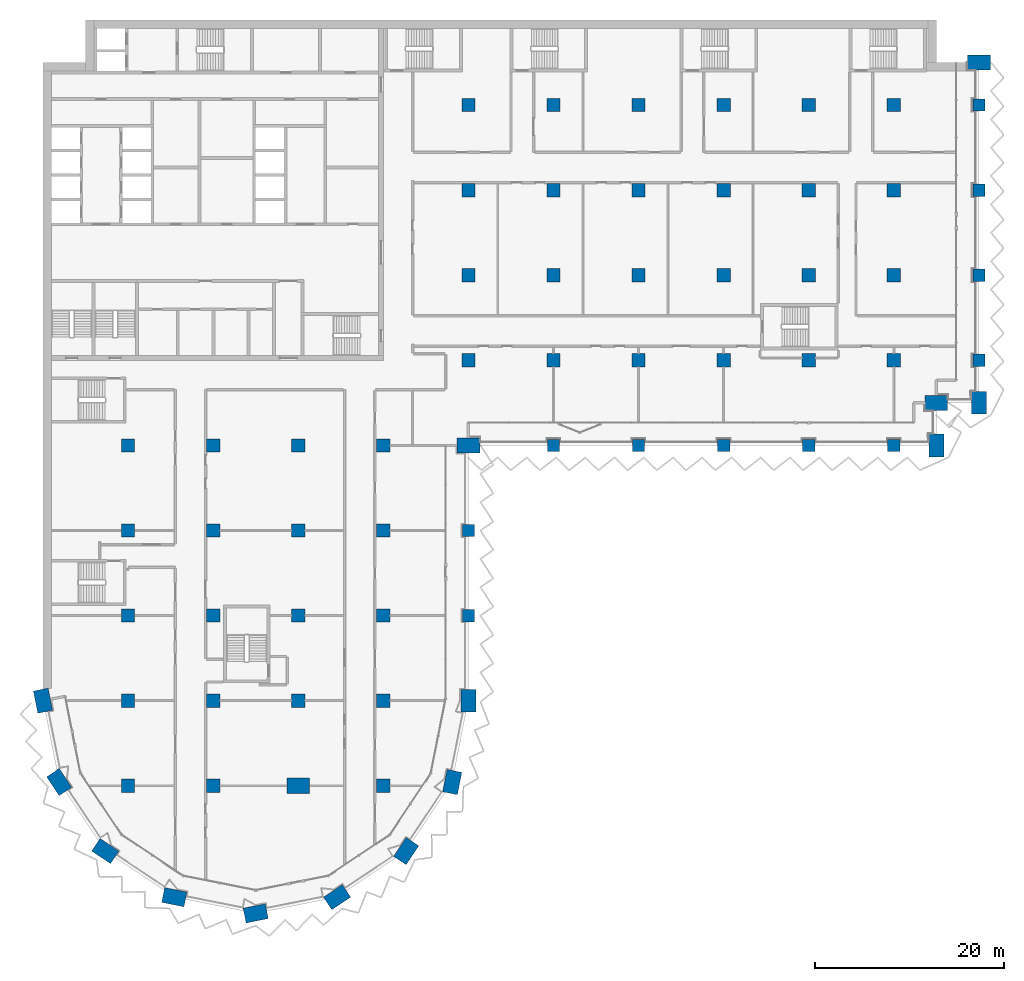
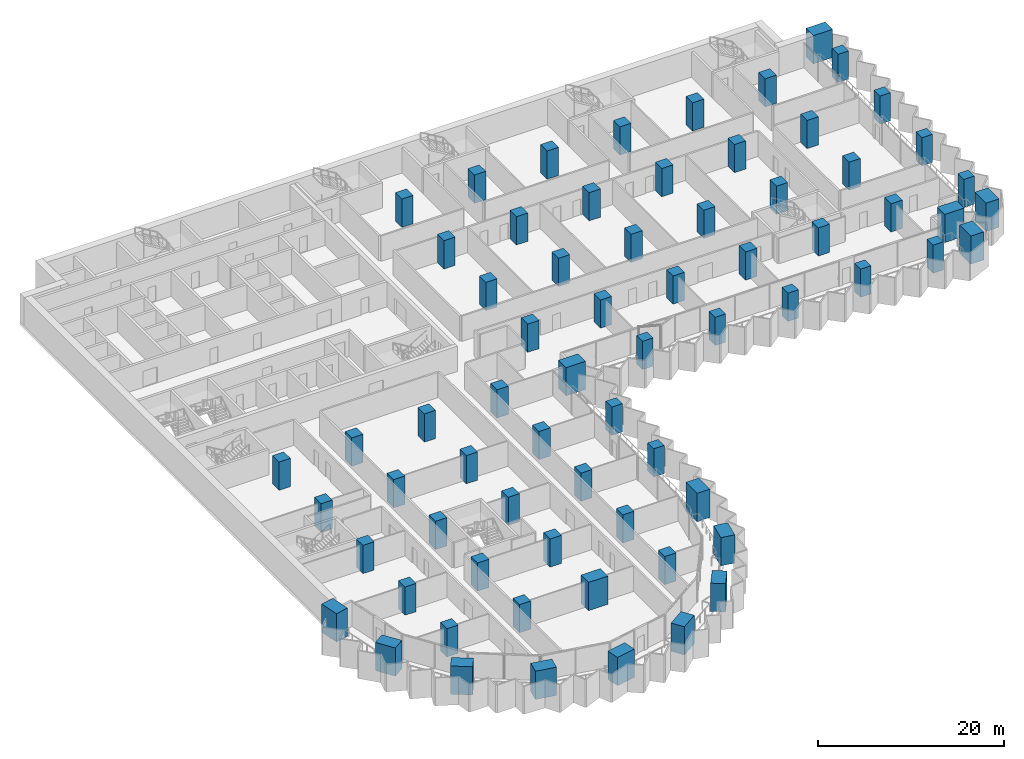
# One storey, part 1 of 28: 69 columns.
"""IFC4 building model written with IfcOpenShell, lengths in metres."""

import ifcopenshell
import ifcopenshell.guid

model = None  # the IFC model being written
_history = None  # IfcOwnerHistory: only IFC2X3 demands one
_inside = {}  # id of a spatial element -> (the spatial element, [elements in it])
_under = {}  # id of a project, library or spatial element -> (it, [spatial elements below it])
_declared = {}  # id of a project -> (the project, [libraries it declares])
_typed = {}  # id of a type object -> (the type object, [elements of that type])
_made_of = {}  # id of a material, layer set ... -> (it, [elements and type objects made of it])


def new_model(schema):
    """Start an empty IFC model of exactly this schema.

    Asked for "IFC4X3", IfcOpenShell would pick the latest addendum, in which some entities
    have other attributes; the version numbers below select the first issue.
    IFC2X3 requires an IfcOwnerHistory on every rooted entity: one is made here for all.
    """
    global model, _history
    if schema == "IFC4X3":
        model = ifcopenshell.file(schema_version=(4, 3, 0, 0))
    else:
        model = ifcopenshell.file(schema=schema)
    _inside.clear()
    _under.clear()
    _declared.clear()
    _typed.clear()
    _made_of.clear()
    _history = None
    if model.schema == "IFC2X3":
        org = make("IfcOrganization", Name="unknown")
        user = make(
            "IfcPersonAndOrganization",
            ThePerson=make("IfcPerson", FamilyName="unknown"),
            TheOrganization=org,
        )
        app = make(
            "IfcApplication",
            ApplicationDeveloper=org,
            Version="unknown",
            ApplicationFullName="unknown",
            ApplicationIdentifier="unknown",
        )
        _history = make(
            "IfcOwnerHistory",
            OwningUser=user,
            OwningApplication=app,
            ChangeAction="ADDED",
            CreationDate=0,
        )
    return model


def make(cls, **values):
    """One entity of the class cls with the attributes given. An attribute that is None is left unset."""
    return model.create_entity(
        cls, **{name: value for name, value in values.items() if value is not None}
    )


def rooted(cls, **values):
    """An entity with a GlobalId (a new one), such as an element, a storey or a relation."""
    return make(cls, GlobalId=ifcopenshell.guid.new(), OwnerHistory=_history, **values)


def si_unit(unit_type, name, prefix=None):
    """IfcSIUnit, for example si_unit("LENGTHUNIT", "METRE", prefix="MILLI")."""
    return make("IfcSIUnit", UnitType=unit_type, Prefix=prefix, Name=name)


def assignment(units):
    """IfcUnitAssignment: the units of a project."""
    return None if units is None else make("IfcUnitAssignment", Units=units)


def point(xyz):
    """IfcCartesianPoint."""
    return None if xyz is None else make("IfcCartesianPoint", Coordinates=xyz)


def direction(xyz):
    """IfcDirection."""
    return None if xyz is None else make("IfcDirection", DirectionRatios=xyz)


def frame(location, z_axis=None, x_axis=None):
    """IfcAxis2Placement3D, a coordinate frame: its origin and axes. An axis left out is left unset."""
    return make(
        "IfcAxis2Placement3D",
        Location=point(location),
        Axis=direction(z_axis),
        RefDirection=direction(x_axis),
    )


def frame_2d(location, x_axis=None):
    """IfcAxis2Placement2D, a coordinate frame in the plane: its origin and x axis."""
    return make(
        "IfcAxis2Placement2D", Location=point(location), RefDirection=direction(x_axis)
    )


def origin():
    """The frame at (0, 0, 0) with its axes left unset."""
    return frame((0.0, 0.0, 0.0))


def origin_2d():
    """The frame at (0, 0) in the plane with its x axis left unset."""
    return frame_2d((0.0, 0.0))


def place(relative_to, where):
    """IfcLocalPlacement: puts the frame where relative to a parent placement (None: the world)."""
    return make(
        "IfcLocalPlacement", PlacementRelTo=relative_to, RelativePlacement=where
    )


def context(
    kind, dimensions, precision=None, world=None, true_north=None, identifier=None
):
    """IfcGeometricRepresentationContext, for example the 3D "Model" context."""
    return make(
        "IfcGeometricRepresentationContext",
        ContextIdentifier=identifier,
        ContextType=kind,
        CoordinateSpaceDimension=dimensions,
        Precision=precision,
        WorldCoordinateSystem=world,
        TrueNorth=true_north,
    )


def subcontext(parent, identifier, kind, view, scale=None):
    """IfcGeometricRepresentationSubContext, for example "Body" below "Model"."""
    return make(
        "IfcGeometricRepresentationSubContext",
        ContextIdentifier=identifier,
        ContextType=kind,
        ParentContext=parent,
        TargetScale=scale,
        TargetView=view,
    )


def project(units=None, contexts=None):
    """IfcProject with its units and contexts."""
    return rooted(
        "IfcProject",
        Name="project",
        RepresentationContexts=contexts,
        UnitsInContext=assignment(units),
    )


def spatial(cls, under=None, at=None, **own):
    """A site, building, storey or space (cls), placed at a placement, below another one or the project."""
    s = rooted(cls, ObjectPlacement=at, **own)
    if under is not None:
        _under.setdefault(under.id(), (under, []))[1].append(s)
    return s


def profile(cls, at=None, kind="AREA", **sizes):
    """A parametric profile (cls). Its sizes go by their IFC names, for example OverallWidth=200.0."""
    return make(cls, ProfileType=kind, Position=at, **sizes)


def rectangle(**sizes):
    """IfcRectangleProfileDef."""
    return profile("IfcRectangleProfileDef", **sizes)


def extrude(swept, where, along, depth):
    """IfcExtrudedAreaSolid: the profile swept, set in the frame where, extruded along a direction by depth."""
    return make(
        "IfcExtrudedAreaSolid",
        SweptArea=swept,
        Position=where,
        ExtrudedDirection=direction(along),
        Depth=depth,
    )


def shape(context_of_items, identifier, shape_type, items):
    """IfcShapeRepresentation: the items that make up one representation, for example the "Body"."""
    return make(
        "IfcShapeRepresentation",
        ContextOfItems=context_of_items,
        RepresentationIdentifier=identifier,
        RepresentationType=shape_type,
        Items=items,
    )


def material(Name=None, Category=None):
    """IfcMaterial."""
    return make("IfcMaterial", Name=Name, Category=Category)


def material_profile(
    of_material, cross_section, Name=None, Category=None, Priority=None
):
    """IfcMaterialProfile: a cross section and its material."""
    return make(
        "IfcMaterialProfile",
        Name=Name,
        Material=of_material,
        Profile=cross_section,
        Priority=Priority,
        Category=Category,
    )


def profile_set(profiles, Name=None, composite=None):
    """IfcMaterialProfileSet."""
    return make(
        "IfcMaterialProfileSet",
        Name=Name,
        MaterialProfiles=profiles,
        CompositeProfile=composite,
    )


def made_of(thing, what):
    """Note that an element or type object is made of a material, layer set ...; save() writes the relation."""
    if what is not None:
        _made_of.setdefault(what.id(), (what, []))[1].append(thing)
    return thing


def type_object(cls, material=None, **own):
    """A type object (cls), such as IfcWallType, which elements share."""
    return made_of(rooted(cls, **own), material)


def element(
    cls,
    number,
    at=None,
    inside=None,
    cuts=None,
    type_object=None,
    material=None,
    context=None,
    identifier="Body",
    shape_type=None,
    held_by="IfcProductDefinitionShape",
    body=None,
    shapes=None,
    **own,
):
    """One element of the class cls, such as IfcWall. Its Tag is "e" and its number.

    at: its placement. inside: the storey or other place that contains it. cuts: it is an
    opening in that element (IfcRelVoidsElement). A single representation is given by context,
    identifier, shape_type and body (its items); several are given by shapes. held_by: the class
    of the entity that holds the representations. save() writes the other relations.
    """
    e = rooted(cls, Tag="e%d" % number, ObjectPlacement=at, **own)
    if body is not None:
        shapes = [shape(context, identifier, shape_type, body)]
    if shapes is not None:
        e.Representation = make(held_by, Representations=shapes)
    if inside is not None:
        _inside.setdefault(inside.id(), (inside, []))[1].append(e)
    if cuts is not None:
        rooted(
            "IfcRelVoidsElement", RelatingBuildingElement=cuts, RelatedOpeningElement=e
        )
    if type_object is not None:
        _typed.setdefault(type_object.id(), (type_object, []))[1].append(e)
    return made_of(e, material)


def aggregate(whole, parts):
    """IfcRelAggregates: a whole, such as a stair, and the parts it consists of."""
    return rooted("IfcRelAggregates", RelatingObject=whole, RelatedObjects=parts)


def save(model, path):
    """Write the relations noted so far, then the file.

    IfcRelAggregates (storeys below a building ...), IfcRelContainedInSpatialStructure (elements
    in a storey), IfcRelDefinesByType, IfcRelAssociatesMaterial and IfcRelDeclares: one each for
    every whole, place, type object, material and project.
    """
    for whole, parts in _under.values():
        aggregate(whole, parts)
    for where, things in _inside.values():
        rooted(
            "IfcRelContainedInSpatialStructure",
            RelatedElements=things,
            RelatingStructure=where,
        )
    for kind, things in _typed.values():
        rooted("IfcRelDefinesByType", RelatedObjects=things, RelatingType=kind)
    for what, things in _made_of.values():
        rooted("IfcRelAssociatesMaterial", RelatedObjects=things, RelatingMaterial=what)
    for by, libraries in _declared.values():
        rooted("IfcRelDeclares", RelatingContext=by, RelatedDefinitions=libraries)
    model.write(path)


model = new_model("IFC4")

# Units and contexts
model_context = context("Model", 3, precision=1e-05, world=origin(), true_north=direction((0.0, 1.0)))
body_context = subcontext(model_context, "Body", "Model", "MODEL_VIEW")
ifc_project = project(units=[si_unit("LENGTHUNIT", "METRE"), si_unit("AREAUNIT", "SQUARE_METRE"), si_unit("VOLUMEUNIT", "CUBIC_METRE"), si_unit("PLANEANGLEUNIT", "RADIAN"), si_unit("MASSUNIT", "GRAM", prefix="KILO")], contexts=[model_context])

# Site, building, storey
site_placement = place(None, origin())
site = spatial("IfcSite", under=ifc_project, at=site_placement, CompositionType="ELEMENT")
building_placement = place(site_placement, origin())
building = spatial("IfcBuilding", under=site, at=building_placement, Name="Hunhe Ridgeline Campus", CompositionType="ELEMENT")
storey_placement = place(building_placement, frame((0.0, 0.0, 35.800048828125)))
storey = spatial("IfcBuildingStorey", under=building, at=storey_placement, Name="L07", CompositionType="ELEMENT", Elevation=35.800048828125)

# Columns
ifc_material = material(Name="Concrete C80", Category="concrete")
ifc_material_profile_1 = material_profile(ifc_material, rectangle(XDim=2.39990234375, YDim=1.60009765625, at=origin_2d()))
ifc_profile_set_1 = profile_set([ifc_material_profile_1], Name="Concrete C80")
column_type_1 = type_object("IfcColumnType", Name="Megacolumn 2400x1600 Concrete C80", PredefinedType="COLUMN", material=ifc_profile_set_1)
for number, where, z_axis, x_axis, name in (
    (1, (22.5, 4.5, 0.0), (0.0, 0.0, 1.0), (0.980785280403, 0.195090322016, 0.0), "Column C3 R1 L07"),
    (2, (13.8896484375, 6.212646484375, 0.0), (0.0, 0.0, 1.0), (-0.980785280403, 0.195090322016, 0.0), "Column C3 R2 L07"),
    (3, (31.1103515625, 6.212646484375, 0.0), (0.0, 0.0, 1.0), (0.831469612303, 0.55557023302, 0.0), "Column C3 R3 L07"),
    (4, (6.590087890625, 11.090087890625, 0.0), (0.0, 0.0, 1.0), (-0.831469612303, 0.55557023302, 0.0), "Column C3 R4 L07"),
    (5, (38.409912109375, 11.090087890625, 0.0), (0.0, 0.0, 1.0), (0.55557023302, 0.831469612303, 0.0), "Column C3 R5 L07"),
    (6, (1.712646484375, 18.3896484375, 0.0), (0.0, 0.0, 1.0), (-0.55557023302, 0.831469612303, 0.0), "Column C3 R9 L07"),
    (7, (43.287353515625, 18.3896484375, 0.0), (0.0, 0.0, 1.0), (0.195090322016, 0.980785280403, 0.0), "Column C3 R10 L07"),
    (8, (0.0, 27.0, 0.0), (0.0, 0.0, 1.0), (-0.195090322016, 0.980785280403, 0.0), "Column C3 D1 L07"),
    (9, (45.0, 27.0, 0.0), (0.0, 0.0, 1.0), (0.0, 1.0, 0.0), "Column C3 D6 L07"),
    (10, (45.0, 54.0, 0.0), (0.0, 0.0, 1.0), (1.0, 0.0, 0.0), "Column C3 G6 L07"),
    (11, (94.5, 54.0, 0.0), (0.0, 0.0, 1.0), (0.0, 1.0, 0.0), "Column C3 R32 L07"),
    (12, (94.5, 58.5, 0.0), (0.0, 0.0, 1.0), (1.0, 0.0, 0.0), "Column C3 R39 L07"),
    (13, (99.0, 58.5, 0.0), (0.0, 0.0, 1.0), (0.0, 1.0, 0.0), "Column C3 R40 L07"),
    (14, (99.0, 94.5, 0.0), (0.0, 0.0, 1.0), (1.0, 0.0, 0.0), "Column C3 R44 L07"),
    (15, (27.0, 18.0, 0.0), (0.0, 0.0, 1.0), (1.0, 0.0, 0.0), "Column C3 C4 L07"),
):
    element("IfcColumn", number, at=place(storey_placement, frame(where, z_axis=z_axis, x_axis=x_axis)), inside=storey, type_object=column_type_1, Name=name, PredefinedType="COLUMN", context=body_context, shape_type="SweptSolid", body=[
        extrude(rectangle(XDim=2.39990234375, YDim=1.60009765625, at=origin_2d()), origin(), (0.0, 0.0, 1.0), 3.699951171875),
    ])
ifc_material_profile_2 = material_profile(ifc_material, rectangle(XDim=1.300048828125, YDim=1.300048828125, at=origin_2d()))
ifc_profile_set_2 = profile_set([ifc_material_profile_2], Name="Concrete C80")
column_type_2 = type_object("IfcColumnType", Name="RC column 1300x1300 Concrete C80", PredefinedType="COLUMN", material=ifc_profile_set_2)
for number, where, z_axis, x_axis, name in (
    (16, (45.0, 36.0, 0.0), (0.0, 0.0, 1.0), (1.0, 0.0, 0.0), "Column C4 E6 L07"),
    (17, (45.0, 45.0, 0.0), (0.0, 0.0, 1.0), (1.0, 0.0, 0.0), "Column C4 F6 L07"),
    (18, (54.0, 54.0, 0.0), (0.0, 0.0, 1.0), (1.0, 0.0, 0.0), "Column C4 G7 L07"),
    (19, (63.0, 54.0, 0.0), (0.0, 0.0, 1.0), (1.0, 0.0, 0.0), "Column C4 G8 L07"),
    (20, (72.0, 54.0, 0.0), (0.0, 0.0, 1.0), (1.0, 0.0, 0.0), "Column C4 G9 L07"),
    (21, (81.0, 54.0, 0.0), (0.0, 0.0, 1.0), (1.0, 0.0, 0.0), "Column C4 G10 L07"),
    (22, (90.0, 54.0, 0.0), (0.0, 0.0, 1.0), (1.0, 0.0, 0.0), "Column C4 G11 L07"),
    (23, (99.0, 63.0, 0.0), (0.0, 0.0, 1.0), (1.0, 0.0, 0.0), "Column C4 H12 L07"),
    (24, (99.0, 72.0, 0.0), (0.0, 0.0, 1.0), (1.0, 0.0, 0.0), "Column C4 I12 L07"),
    (25, (99.0, 81.0, 0.0), (0.0, 0.0, 1.0), (1.0, 0.0, 0.0), "Column C4 J12 L07"),
    (26, (99.0, 90.0, 0.0), (0.0, 0.0, 1.0), (1.0, 0.0, 0.0), "Column C4 K12 L07"),
):
    element("IfcColumn", number, at=place(storey_placement, frame(where, z_axis=z_axis, x_axis=x_axis)), inside=storey, type_object=column_type_2, Name=name, PredefinedType="COLUMN", context=body_context, shape_type="SweptSolid", body=[
        extrude(rectangle(XDim=1.300048828125, YDim=1.300048828125, at=origin_2d()), origin(), (0.0, 0.0, 1.0), 3.699951171875),
    ])
ifc_material_profile_3 = material_profile(ifc_material, rectangle(XDim=1.39990234375, YDim=1.39990234375, at=origin_2d()))
ifc_profile_set_3 = profile_set([ifc_material_profile_3], Name="Concrete C80")
column_type_3 = type_object("IfcColumnType", Name="RC column 1400x1400 Concrete C80", PredefinedType="COLUMN", material=ifc_profile_set_3)
for number, where, z_axis, x_axis, name in (
    (27, (9.0, 18.0, 0.0), (0.0, 0.0, 1.0), (1.0, 0.0, 0.0), "Column C5 C2 L07"),
    (28, (9.0, 27.0, 0.0), (0.0, 0.0, 1.0), (1.0, 0.0, 0.0), "Column C5 D2 L07"),
    (29, (9.0, 36.0, 0.0), (0.0, 0.0, 1.0), (1.0, 0.0, 0.0), "Column C5 E2 L07"),
    (30, (9.0, 45.0, 0.0), (0.0, 0.0, 1.0), (1.0, 0.0, 0.0), "Column C5 F2 L07"),
    (31, (9.0, 54.0, 0.0), (0.0, 0.0, 1.0), (1.0, 0.0, 0.0), "Column C5 G2 L07"),
    (32, (18.0, 18.0, 0.0), (0.0, 0.0, 1.0), (1.0, 0.0, 0.0), "Column C5 C3 L07"),
    (33, (18.0, 27.0, 0.0), (0.0, 0.0, 1.0), (1.0, 0.0, 0.0), "Column C5 D3 L07"),
    (34, (18.0, 36.0, 0.0), (0.0, 0.0, 1.0), (1.0, 0.0, 0.0), "Column C5 E3 L07"),
    (35, (18.0, 45.0, 0.0), (0.0, 0.0, 1.0), (1.0, 0.0, 0.0), "Column C5 F3 L07"),
    (36, (18.0, 54.0, 0.0), (0.0, 0.0, 1.0), (1.0, 0.0, 0.0), "Column C5 G3 L07"),
    (37, (27.0, 27.0, 0.0), (0.0, 0.0, 1.0), (1.0, 0.0, 0.0), "Column C5 D4 L07"),
    (38, (27.0, 36.0, 0.0), (0.0, 0.0, 1.0), (1.0, 0.0, 0.0), "Column C5 E4 L07"),
    (39, (27.0, 45.0, 0.0), (0.0, 0.0, 1.0), (1.0, 0.0, 0.0), "Column C5 F4 L07"),
    (40, (27.0, 54.0, 0.0), (0.0, 0.0, 1.0), (1.0, 0.0, 0.0), "Column C5 G4 L07"),
    (41, (36.0, 18.0, 0.0), (0.0, 0.0, 1.0), (1.0, 0.0, 0.0), "Column C5 C5 L07"),
    (42, (36.0, 27.0, 0.0), (0.0, 0.0, 1.0), (1.0, 0.0, 0.0), "Column C5 D5 L07"),
    (43, (36.0, 36.0, 0.0), (0.0, 0.0, 1.0), (1.0, 0.0, 0.0), "Column C5 E5 L07"),
    (44, (36.0, 45.0, 0.0), (0.0, 0.0, 1.0), (1.0, 0.0, 0.0), "Column C5 F5 L07"),
    (45, (36.0, 54.0, 0.0), (0.0, 0.0, 1.0), (1.0, 0.0, 0.0), "Column C5 G5 L07"),
    (46, (45.0, 63.0, 0.0), (0.0, 0.0, 1.0), (1.0, 0.0, 0.0), "Column C5 H6 L07"),
    (47, (45.0, 72.0, 0.0), (0.0, 0.0, 1.0), (1.0, 0.0, 0.0), "Column C5 I6 L07"),
    (48, (45.0, 81.0, 0.0), (0.0, 0.0, 1.0), (1.0, 0.0, 0.0), "Column C5 J6 L07"),
    (49, (45.0, 90.0, 0.0), (0.0, 0.0, 1.0), (1.0, 0.0, 0.0), "Column C5 K6 L07"),
    (50, (54.0, 63.0, 0.0), (0.0, 0.0, 1.0), (1.0, 0.0, 0.0), "Column C5 H7 L07"),
    (51, (54.0, 72.0, 0.0), (0.0, 0.0, 1.0), (1.0, 0.0, 0.0), "Column C5 I7 L07"),
    (52, (54.0, 81.0, 0.0), (0.0, 0.0, 1.0), (1.0, 0.0, 0.0), "Column C5 J7 L07"),
    (53, (54.0, 90.0, 0.0), (0.0, 0.0, 1.0), (1.0, 0.0, 0.0), "Column C5 K7 L07"),
    (54, (63.0, 63.0, 0.0), (0.0, 0.0, 1.0), (1.0, 0.0, 0.0), "Column C5 H8 L07"),
    (55, (63.0, 72.0, 0.0), (0.0, 0.0, 1.0), (1.0, 0.0, 0.0), "Column C5 I8 L07"),
    (56, (63.0, 81.0, 0.0), (0.0, 0.0, 1.0), (1.0, 0.0, 0.0), "Column C5 J8 L07"),
    (57, (63.0, 90.0, 0.0), (0.0, 0.0, 1.0), (1.0, 0.0, 0.0), "Column C5 K8 L07"),
    (58, (72.0, 63.0, 0.0), (0.0, 0.0, 1.0), (1.0, 0.0, 0.0), "Column C5 H9 L07"),
    (59, (72.0, 72.0, 0.0), (0.0, 0.0, 1.0), (1.0, 0.0, 0.0), "Column C5 I9 L07"),
    (60, (72.0, 81.0, 0.0), (0.0, 0.0, 1.0), (1.0, 0.0, 0.0), "Column C5 J9 L07"),
    (61, (72.0, 90.0, 0.0), (0.0, 0.0, 1.0), (1.0, 0.0, 0.0), "Column C5 K9 L07"),
    (62, (81.0, 63.0, 0.0), (0.0, 0.0, 1.0), (1.0, 0.0, 0.0), "Column C5 H10 L07"),
    (63, (81.0, 72.0, 0.0), (0.0, 0.0, 1.0), (1.0, 0.0, 0.0), "Column C5 I10 L07"),
    (64, (81.0, 81.0, 0.0), (0.0, 0.0, 1.0), (1.0, 0.0, 0.0), "Column C5 J10 L07"),
    (65, (81.0, 90.0, 0.0), (0.0, 0.0, 1.0), (1.0, 0.0, 0.0), "Column C5 K10 L07"),
    (66, (90.0, 63.0, 0.0), (0.0, 0.0, 1.0), (1.0, 0.0, 0.0), "Column C5 H11 L07"),
    (67, (90.0, 72.0, 0.0), (0.0, 0.0, 1.0), (1.0, 0.0, 0.0), "Column C5 I11 L07"),
    (68, (90.0, 81.0, 0.0), (0.0, 0.0, 1.0), (1.0, 0.0, 0.0), "Column C5 J11 L07"),
    (69, (90.0, 90.0, 0.0), (0.0, 0.0, 1.0), (1.0, 0.0, 0.0), "Column C5 K11 L07"),
):
    element("IfcColumn", number, at=place(storey_placement, frame(where, z_axis=z_axis, x_axis=x_axis)), inside=storey, type_object=column_type_3, Name=name, PredefinedType="COLUMN", context=body_context, shape_type="SweptSolid", body=[
        extrude(rectangle(XDim=1.39990234375, YDim=1.39990234375, at=origin_2d()), origin(), (0.0, 0.0, 1.0), 3.699951171875),
    ])

save(model, "model.ifc")
